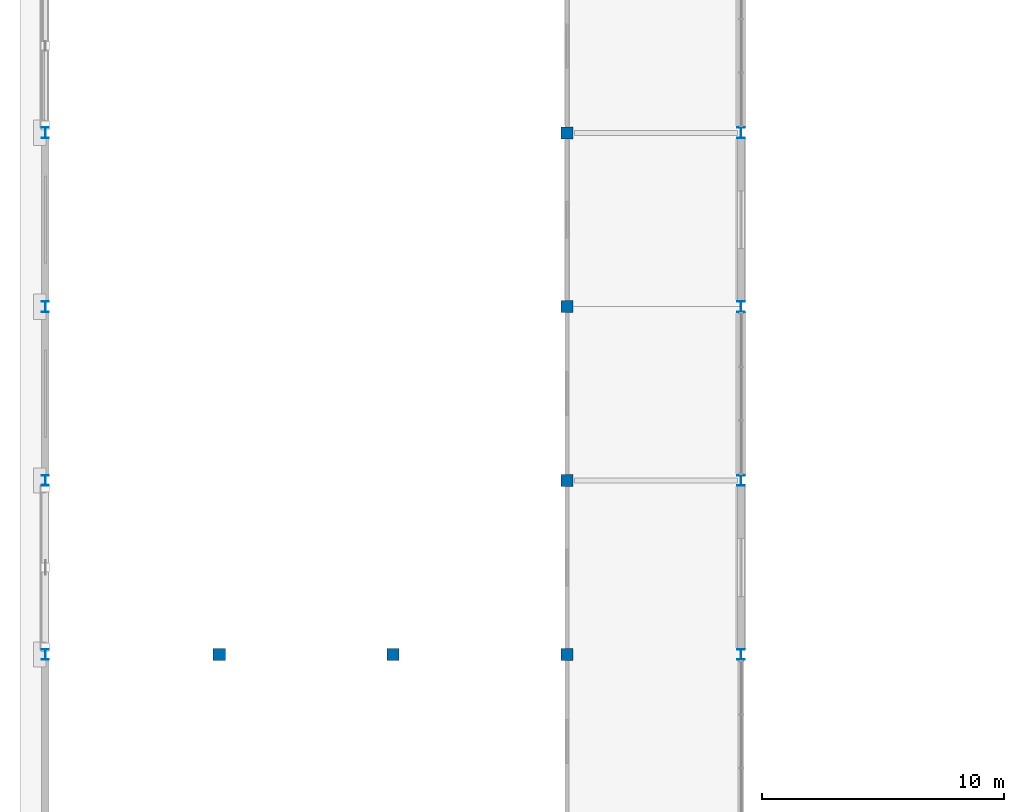
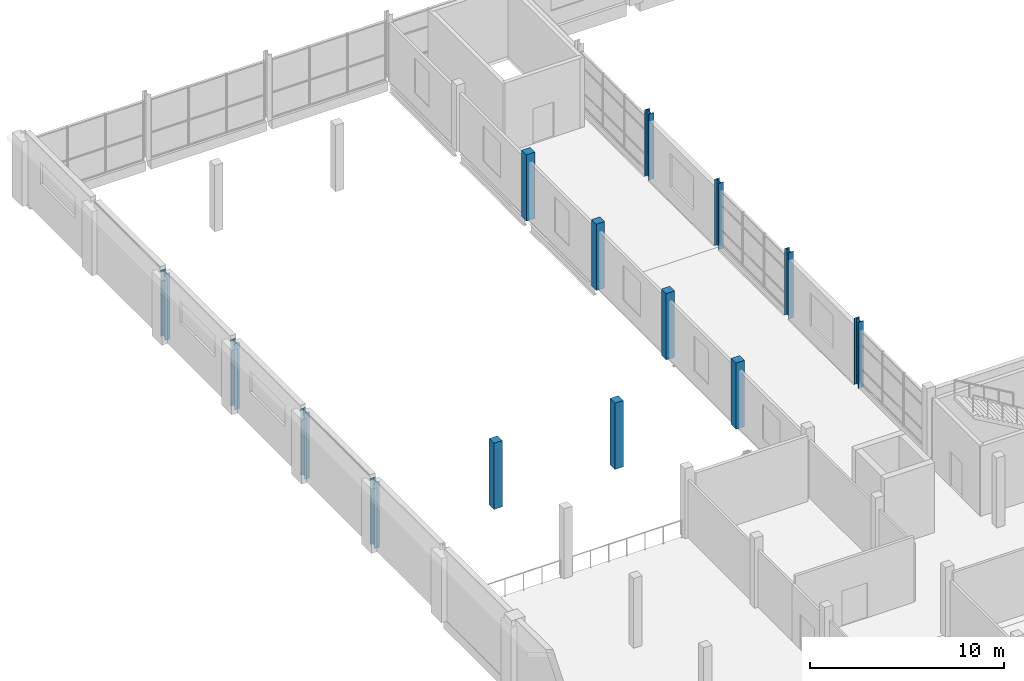
# One storey, part 3 of 71: 14 columns.
"""IFC4 building model written with IfcOpenShell, lengths in metres."""

from ifc_helpers import new_model, si_unit, direction, frame, origin, origin_2d, place, context, subcontext, project, spatial, rectangle, i_section, extrude, material, material_profile, profile_set, type_object, element, save


model = new_model("IFC4")

# Units and contexts
model_context = context("Model", 3, precision=1e-05, world=origin(), true_north=direction((0.0, 1.0)))
body_context = subcontext(model_context, "Body", "Model", "MODEL_VIEW")
ifc_project = project(units=[si_unit("LENGTHUNIT", "METRE"), si_unit("AREAUNIT", "SQUARE_METRE"), si_unit("VOLUMEUNIT", "CUBIC_METRE"), si_unit("PLANEANGLEUNIT", "RADIAN"), si_unit("MASSUNIT", "GRAM", prefix="KILO")], contexts=[model_context])

# Site, building, storey
site_placement = place(None, origin())
site = spatial("IfcSite", under=ifc_project, at=site_placement, CompositionType="ELEMENT")
building_placement = place(site_placement, origin())
building = spatial("IfcBuilding", under=site, at=building_placement, Name="Sardonyx Promenade Sports Hall", CompositionType="ELEMENT")
storey_placement = place(building_placement, frame((0.0, 0.0, 16.0)))
storey = spatial("IfcBuildingStorey", under=building, at=storey_placement, Name="L03", CompositionType="ELEMENT", Elevation=16.0)

# Columns
ifc_material_1 = material(Name="Steel S355JR", Category="steel")
ifc_material_profile_1 = material_profile(ifc_material_1, i_section(OverallWidth=0.300048828125, OverallDepth=0.43994140625, WebThickness=0.011474609375, FlangeThickness=0.02099609375, at=origin_2d()))
ifc_profile_set_1 = profile_set([ifc_material_profile_1], Name="Steel S355JR")
column_type_1 = type_object("IfcColumnType", Name="Col_Ext_HEA450", PredefinedType="COLUMN", material=ifc_profile_set_1)
for number, where, z_axis, x_axis, name in (
    (1, (0.0, 36.0, 0.0), (0.0, 0.0, 1.0), (1.0, 0.0, 0.0), "Column CE10 L03 (0.0,36.0)"),
    (2, (0.0, 43.199951171875, 0.0), (0.0, 0.0, 1.0), (1.0, 0.0, 0.0), "Column CE10 L03 (0.0,43.2)"),
    (3, (0.0, 50.39990234375, 0.0), (0.0, 0.0, 1.0), (1.0, 0.0, 0.0), "Column CE10 L03 (0.0,50.4)"),
    (4, (0.0, 57.60009765625, 0.0), (0.0, 0.0, 1.0), (1.0, 0.0, 0.0), "Column CE10 L03 (0.0,57.6)"),
    (5, (28.800048828125, 36.0, 0.0), (0.0, 0.0, 1.0), (1.0, 0.0, 0.0), "Column CE10 L03 (28.8,36.0)"),
    (6, (28.800048828125, 43.199951171875, 0.0), (0.0, 0.0, 1.0), (1.0, 0.0, 0.0), "Column CE10 L03 (28.8,43.2)"),
    (7, (28.800048828125, 50.39990234375, 0.0), (0.0, 0.0, 1.0), (1.0, 0.0, 0.0), "Column CE10 L03 (28.8,50.4)"),
    (8, (28.800048828125, 57.60009765625, 0.0), (0.0, 0.0, 1.0), (1.0, 0.0, 0.0), "Column CE10 L03 (28.8,57.6)"),
):
    element("IfcColumn", number, at=place(storey_placement, frame(where, z_axis=z_axis, x_axis=x_axis)), inside=storey, type_object=column_type_1, Name=name, PredefinedType="COLUMN", context=body_context, shape_type="SweptSolid", body=[
        extrude(i_section(OverallWidth=0.300048828125, OverallDepth=0.43994140625, WebThickness=0.011474609375, FlangeThickness=0.02099609375, at=origin_2d()), origin(), (0.0, 0.0, 1.0), 4.169921875),
    ])
ifc_material_2 = material(Name="Concrete C40/50", Category="concrete")
ifc_material_profile_2 = material_profile(ifc_material_2, rectangle(XDim=0.5, YDim=0.5, at=origin_2d()))
ifc_profile_set_2 = profile_set([ifc_material_profile_2], Name="Concrete C40/50")
column_type_2 = type_object("IfcColumnType", Name="Col_Int_RC500", PredefinedType="COLUMN", material=ifc_profile_set_2)
for number, where, z_axis, x_axis, name in (
    (9, (7.199951171875, 36.0, 0.0), (0.0, 0.0, 1.0), (1.0, 0.0, 0.0), "Column CI06 L03 (7.2,36.0)"),
    (10, (14.39990234375, 36.0, 0.0), (0.0, 0.0, 1.0), (1.0, 0.0, 0.0), "Column CI06 L03 (14.4,36.0)"),
    (11, (21.60009765625, 36.0, 0.0), (0.0, 0.0, 1.0), (1.0, 0.0, 0.0), "Column CI06 L03 (21.6,36.0)"),
    (12, (21.60009765625, 43.199951171875, 0.0), (0.0, 0.0, 1.0), (1.0, 0.0, 0.0), "Column CI06 L03 (21.6,43.2)"),
    (13, (21.60009765625, 50.39990234375, 0.0), (0.0, 0.0, 1.0), (1.0, 0.0, 0.0), "Column CI06 L03 (21.6,50.4)"),
    (14, (21.60009765625, 57.60009765625, 0.0), (0.0, 0.0, 1.0), (1.0, 0.0, 0.0), "Column CI06 L03 (21.6,57.6)"),
):
    element("IfcColumn", number, at=place(storey_placement, frame(where, z_axis=z_axis, x_axis=x_axis)), inside=storey, type_object=column_type_2, Name=name, PredefinedType="COLUMN", context=body_context, shape_type="SweptSolid", body=[
        extrude(rectangle(XDim=0.5, YDim=0.5, at=origin_2d()), origin(), (0.0, 0.0, 1.0), 4.169921875),
    ])

save(model, "model.ifc")
